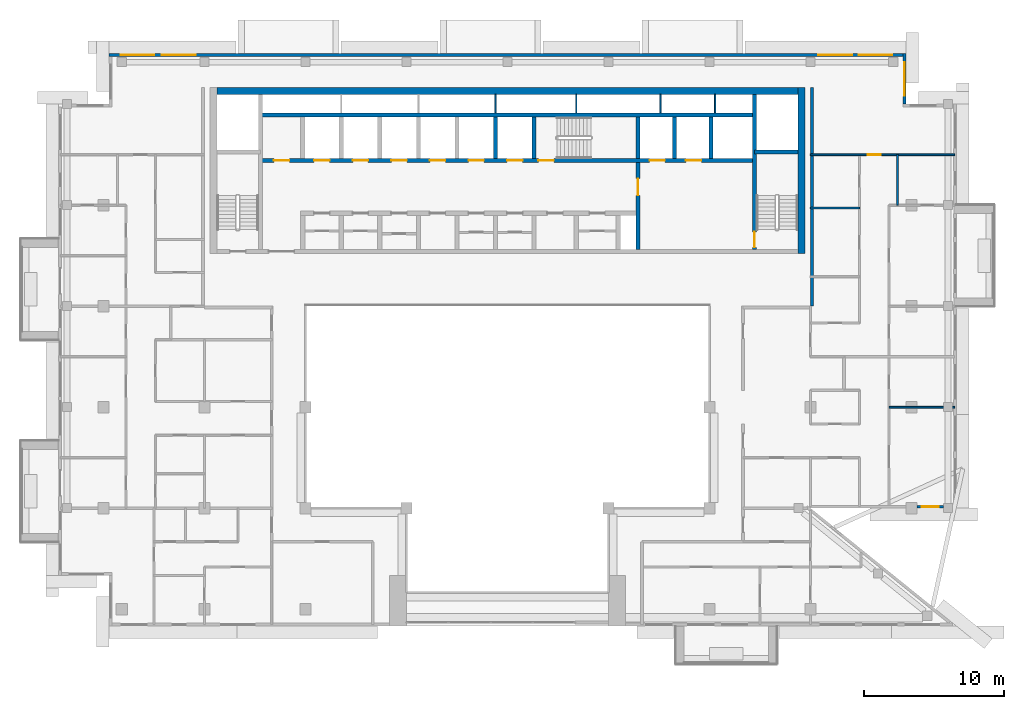
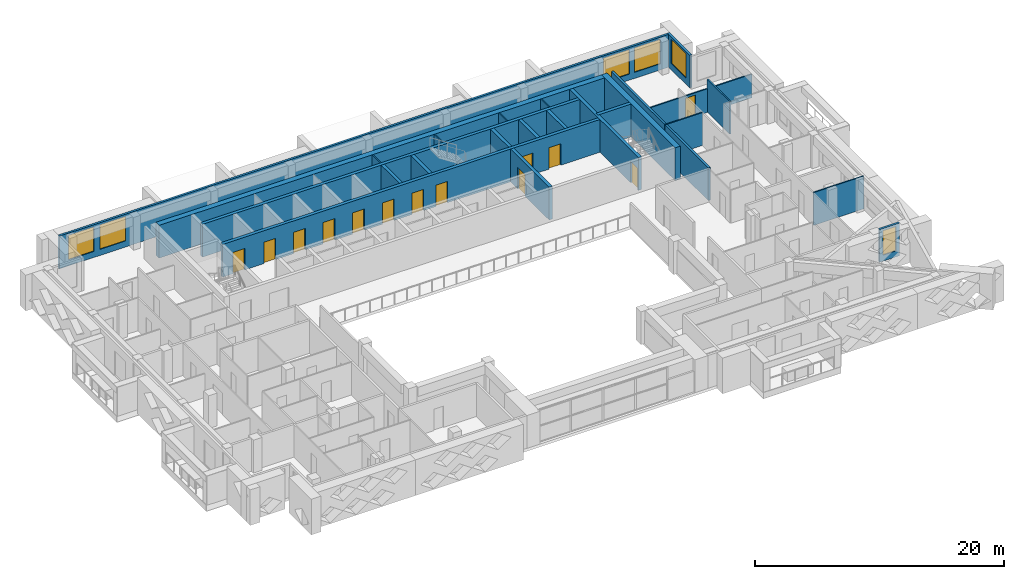
# One storey, part 11 of 19: 24 walls, 13 doors, 6 windows, 19 openings.
"""IFC4 building model written with IfcOpenShell, lengths in metres."""

from ifc_helpers import new_model, si_unit, direction, frame, frame_2d, origin, place, context, subcontext, project, spatial, rectangle, extrude, material, layer, layer_set, type_object, element, fill, save


model = new_model("IFC4")

# Units and contexts
model_context = context("Model", 3, precision=1e-05, world=origin(), true_north=direction((0.0, 1.0)))
body_context = subcontext(model_context, "Body", "Model", "MODEL_VIEW")
ifc_project = project(units=[si_unit("LENGTHUNIT", "METRE"), si_unit("AREAUNIT", "SQUARE_METRE"), si_unit("VOLUMEUNIT", "CUBIC_METRE"), si_unit("PLANEANGLEUNIT", "RADIAN"), si_unit("MASSUNIT", "GRAM", prefix="KILO")], contexts=[model_context])

# Site, building, storey
site_placement = place(None, origin())
site = spatial("IfcSite", under=ifc_project, at=site_placement, CompositionType="ELEMENT")
building_placement = place(site_placement, origin())
building = spatial("IfcBuilding", under=site, at=building_placement, Name="Saffron Iwan Residences", CompositionType="ELEMENT")
storey_placement = place(building_placement, frame((0.0, 0.0, 250.0)))
storey = spatial("IfcBuildingStorey", under=building, at=storey_placement, Name="L67", CompositionType="ELEMENT", Elevation=250.0)

# Wall, opening, window
ifc_material_1 = material(Name="Concrete C40/50", Category="concrete")
ifc_layer_1 = layer(ifc_material_1, 0.199951171875)
ifc_layer_set_1 = layer_set([ifc_layer_1], Name="Concrete C40/50")
wall_type_1 = type_object("IfcWallType", Name="EXTERNAL WALL 200", PredefinedType="SOLIDWALL", material=ifc_layer_set_1)
wall_1_placement = place(storey_placement, frame((79.60009765625, 48.10009765625, 0.0), z_axis=(0.0, 0.0, 1.0), x_axis=(1.0, 0.0, 0.0)))
wall_1 = element("IfcWall", 1, at=wall_1_placement, inside=storey, type_object=wall_type_1, Name="External wall L67 F1.1", PredefinedType="SOLIDWALL", context=body_context, shape_type="SweptSolid", body=[
    extrude(rectangle(XDim=1.875, YDim=0.199951171875, at=frame_2d((0.9375, 0.0))), origin(), (0.0, 0.0, 1.0), 3.219970703125),
])
opening_1_placement = place(wall_1_placement, frame((0.33740234375, 0.0, 0.60009765625)))
opening_1 = element("IfcOpeningElement", 2, at=opening_1_placement, cuts=wall_1, Name="Opening W3", PredefinedType="OPENING", context=body_context, shape_type="SweptSolid", body=[
    extrude(rectangle(XDim=1.199951171875, YDim=2.39990234375, at=frame_2d((0.60009765625, 1.199951171875))), frame((0.0, 0.10986328125, 0.0), z_axis=(0.0, -1.0, 0.0), x_axis=(1.0, 0.0, 0.0)), (0.0, 0.0, 1.0), 0.219970703125),
])
ifc_material_2 = material(Name="Clear glass, laminated double glazed", Category="glass")
window_type_1 = type_object("IfcWindowType", Name="WINDOW 1200 x 2400", PartitioningType="SINGLE_PANEL", PredefinedType="WINDOW", material=ifc_material_2)
window_1_placement = place(opening_1_placement, origin())
window_1 = element("IfcWindow", 3, at=window_1_placement, inside=storey, type_object=window_type_1, Name="Window L67 F1.0", OverallHeight=2.39990234375, OverallWidth=1.199951171875, PartitioningType="SINGLE_PANEL", PredefinedType="WINDOW", context=body_context, shape_type="SweptSolid", body=[
    extrude(rectangle(XDim=1.199951171875, YDim=2.39990234375, at=frame_2d((0.60009765625, 1.199951171875))), frame((0.0, 0.030029296875, 0.0), z_axis=(0.0, -1.0, 0.0), x_axis=(1.0, 0.0, 0.0)), (0.0, 0.0, 1.0), 0.06005859375),
])
fill(opening_1, window_1)

wall_2_placement = place(storey_placement, frame((78.699951171875, 76.800048828125, 0.0), z_axis=(0.0, 0.0, 1.0), x_axis=(0.0, 1.0, 0.0)))
wall_2 = element("IfcWall", 4, at=wall_2_placement, inside=storey, type_object=wall_type_1, Name="External wall L67 F4.0", PredefinedType="SOLIDWALL", context=body_context, shape_type="SweptSolid", body=[
    extrude(rectangle(XDim=3.599853515625, YDim=0.199951171875, at=frame_2d((1.7998046875, 0.0))), origin(), (0.0, 0.0, 1.0), 3.219970703125),
])
opening_2_placement = place(wall_2_placement, frame((0.60009765625, 0.0, 0.60009765625)))
opening_2 = element("IfcOpeningElement", 5, at=opening_2_placement, cuts=wall_2, Name="Opening W1", PredefinedType="OPENING", context=body_context, shape_type="SweptSolid", body=[
    extrude(rectangle(XDim=2.39990234375, YDim=2.39990234375, at=frame_2d((1.199951171875, 1.199951171875))), frame((0.0, 0.10986328125, 0.0), z_axis=(0.0, -1.0, 0.0), x_axis=(1.0, 0.0, 0.0)), (0.0, 0.0, 1.0), 0.219970703125),
])
window_type_2 = type_object("IfcWindowType", Name="WINDOW 2400 x 2400", PartitioningType="DOUBLE_PANEL_VERTICAL", PredefinedType="WINDOW", material=ifc_material_2)
window_2_placement = place(opening_2_placement, origin())
window_2 = element("IfcWindow", 6, at=window_2_placement, inside=storey, type_object=window_type_2, Name="Window L67 F4.0", OverallHeight=2.39990234375, OverallWidth=2.39990234375, PartitioningType="DOUBLE_PANEL_VERTICAL", PredefinedType="WINDOW", context=body_context, shape_type="SweptSolid", body=[
    extrude(rectangle(XDim=2.39990234375, YDim=2.39990234375, at=frame_2d((1.199951171875, 1.199951171875))), frame((0.0, 0.030029296875, 0.0), z_axis=(0.0, -1.0, 0.0), x_axis=(1.0, 0.0, 0.0)), (0.0, 0.0, 1.0), 0.06005859375),
])
fill(opening_2, window_2)

# Wall, openings, windows
wall_3_placement = place(storey_placement, frame((78.60009765625, 80.300048828125, 0.0), z_axis=(0.0, 0.0, 1.0), x_axis=(-1.0, 0.0, 0.0)))
wall_3 = element("IfcWall", 7, at=wall_3_placement, inside=storey, type_object=wall_type_1, Name="External wall L67 F5.0", PredefinedType="SOLIDWALL", context=body_context, shape_type="SweptSolid", body=[
    extrude(rectangle(XDim=56.60009765625, YDim=0.199951171875, at=frame_2d((28.300048828125, 0.0))), origin(), (0.0, 0.0, 1.0), 3.219970703125),
])
opening_3_placement = place(wall_3_placement, frame((50.433349609375, 0.0, 0.60009765625)))
opening_3 = element("IfcOpeningElement", 8, at=opening_3_placement, cuts=wall_3, Name="Opening W1", PredefinedType="OPENING", context=body_context, shape_type="SweptSolid", body=[
    extrude(rectangle(XDim=2.39990234375, YDim=2.39990234375, at=frame_2d((1.199951171875, 1.199951171875))), frame((0.0, 0.10986328125, 0.0), z_axis=(0.0, -1.0, 0.0), x_axis=(1.0, 0.0, 0.0)), (0.0, 0.0, 1.0), 0.219970703125),
])
opening_4_placement = place(wall_3_placement, frame((53.36669921875, 0.0, 0.60009765625)))
opening_4 = element("IfcOpeningElement", 9, at=opening_4_placement, cuts=wall_3, Name="Opening W1", PredefinedType="OPENING", context=body_context, shape_type="SweptSolid", body=[
    extrude(rectangle(XDim=2.39990234375, YDim=2.39990234375, at=frame_2d((1.199951171875, 1.199951171875))), frame((0.0, 0.10986328125, 0.0), z_axis=(0.0, -1.0, 0.0), x_axis=(1.0, 0.0, 0.0)), (0.0, 0.0, 1.0), 0.219970703125),
])
opening_5_placement = place(wall_3_placement, frame((0.7666015625, 0.0, 0.60009765625)))
opening_5 = element("IfcOpeningElement", 10, at=opening_5_placement, cuts=wall_3, Name="Opening W1", PredefinedType="OPENING", context=body_context, shape_type="SweptSolid", body=[
    extrude(rectangle(XDim=2.39990234375, YDim=2.39990234375, at=frame_2d((1.199951171875, 1.199951171875))), frame((0.0, 0.10986328125, 0.0), z_axis=(0.0, -1.0, 0.0), x_axis=(1.0, 0.0, 0.0)), (0.0, 0.0, 1.0), 0.219970703125),
])
opening_6_placement = place(wall_3_placement, frame((3.63330078125, 0.0, 0.60009765625)))
opening_6 = element("IfcOpeningElement", 11, at=opening_6_placement, cuts=wall_3, Name="Opening W1", PredefinedType="OPENING", context=body_context, shape_type="SweptSolid", body=[
    extrude(rectangle(XDim=2.39990234375, YDim=2.39990234375, at=frame_2d((1.199951171875, 1.199951171875))), frame((0.0, 0.10986328125, 0.0), z_axis=(0.0, -1.0, 0.0), x_axis=(1.0, 0.0, 0.0)), (0.0, 0.0, 1.0), 0.219970703125),
])
window_3_placement = place(opening_3_placement, origin())
window_3 = element("IfcWindow", 12, at=window_3_placement, inside=storey, type_object=window_type_2, Name="Window L67 F5.0", OverallHeight=2.39990234375, OverallWidth=2.39990234375, PartitioningType="DOUBLE_PANEL_VERTICAL", PredefinedType="WINDOW", context=body_context, shape_type="SweptSolid", body=[
    extrude(rectangle(XDim=2.39990234375, YDim=2.39990234375, at=frame_2d((1.199951171875, 1.199951171875))), frame((0.0, 0.030029296875, 0.0), z_axis=(0.0, -1.0, 0.0), x_axis=(1.0, 0.0, 0.0)), (0.0, 0.0, 1.0), 0.06005859375),
])
fill(opening_3, window_3)
window_4_placement = place(opening_4_placement, origin())
window_4 = element("IfcWindow", 13, at=window_4_placement, inside=storey, type_object=window_type_2, Name="Window L67 F5.1", OverallHeight=2.39990234375, OverallWidth=2.39990234375, PartitioningType="DOUBLE_PANEL_VERTICAL", PredefinedType="WINDOW", context=body_context, shape_type="SweptSolid", body=[
    extrude(rectangle(XDim=2.39990234375, YDim=2.39990234375, at=frame_2d((1.199951171875, 1.199951171875))), frame((0.0, 0.030029296875, 0.0), z_axis=(0.0, -1.0, 0.0), x_axis=(1.0, 0.0, 0.0)), (0.0, 0.0, 1.0), 0.06005859375),
])
fill(opening_4, window_4)
window_5_placement = place(opening_5_placement, origin())
window_5 = element("IfcWindow", 14, at=window_5_placement, inside=storey, type_object=window_type_2, Name="Window L67 F5.2", OverallHeight=2.39990234375, OverallWidth=2.39990234375, PartitioningType="DOUBLE_PANEL_VERTICAL", PredefinedType="WINDOW", context=body_context, shape_type="SweptSolid", body=[
    extrude(rectangle(XDim=2.39990234375, YDim=2.39990234375, at=frame_2d((1.199951171875, 1.199951171875))), frame((0.0, 0.030029296875, 0.0), z_axis=(0.0, -1.0, 0.0), x_axis=(1.0, 0.0, 0.0)), (0.0, 0.0, 1.0), 0.06005859375),
])
fill(opening_5, window_5)
window_6_placement = place(opening_6_placement, origin())
window_6 = element("IfcWindow", 15, at=window_6_placement, inside=storey, type_object=window_type_2, Name="Window L67 F5.3", OverallHeight=2.39990234375, OverallWidth=2.39990234375, PartitioningType="DOUBLE_PANEL_VERTICAL", PredefinedType="WINDOW", context=body_context, shape_type="SweptSolid", body=[
    extrude(rectangle(XDim=2.39990234375, YDim=2.39990234375, at=frame_2d((1.199951171875, 1.199951171875))), frame((0.0, 0.030029296875, 0.0), z_axis=(0.0, -1.0, 0.0), x_axis=(1.0, 0.0, 0.0)), (0.0, 0.0, 1.0), 0.06005859375),
])
fill(opening_6, window_6)

# Walls
ifc_material_3 = material(Name="Gypsum board partition")
ifc_layer_2 = layer(ifc_material_3, 0.1201171875)
ifc_layer_set_2 = layer_set([ifc_layer_2], Name="Gypsum board partition")
wall_type_2 = type_object("IfcWallType", Name="Flat partition 120", PredefinedType="PARTITIONING", material=ifc_layer_set_2)
wall_4_placement = place(storey_placement, frame((77.60009765625, 55.199951171875, 0.0), z_axis=(0.0, 0.0, 1.0), x_axis=(1.0, 0.0, 0.0)))
element("IfcWall", 16, at=wall_4_placement, inside=storey, type_object=wall_type_2, Name="W-L67-PART-h55.2-77.6", PredefinedType="PARTITIONING", context=body_context, shape_type="SweptSolid", body=[
    extrude(rectangle(XDim=4.6748046875, YDim=0.1201171875, at=frame_2d((2.33740234375, 0.0))), origin(), (0.0, 0.0, 1.0), 3.219970703125),
])
wall_5_placement = place(storey_placement, frame((72.0, 69.39990234375, 0.0), z_axis=(0.0, 0.0, 1.0), x_axis=(1.0, 0.0, 0.0)))
element("IfcWall", 17, at=wall_5_placement, inside=storey, type_object=wall_type_2, Name="W-L67-PART-h69.4-72", PredefinedType="PARTITIONING", context=body_context, shape_type="SweptSolid", body=[
    extrude(rectangle(XDim=3.5, YDim=0.1201171875, at=frame_2d((1.75, 0.0))), origin(), (0.0, 0.0, 1.0), 3.219970703125),
])

# Wall, opening, door
wall_6_placement = place(storey_placement, frame((72.0, 73.199951171875, 0.0), z_axis=(0.0, 0.0, 1.0), x_axis=(1.0, 0.0, 0.0)))
wall_6 = element("IfcWall", 18, at=wall_6_placement, inside=storey, type_object=wall_type_2, Name="W-L67-PART-h73.2-72", PredefinedType="PARTITIONING", context=body_context, shape_type="SweptSolid", body=[
    extrude(rectangle(XDim=10.27490234375, YDim=0.1201171875, at=frame_2d((5.137451171875, 0.0))), origin(), (0.0, 0.0, 1.0), 2.320068359375),
])
opening_7_placement = place(wall_6_placement, frame((4.10009765625, 0.0, 0.0)))
opening_7 = element("IfcOpeningElement", 19, at=opening_7_placement, cuts=wall_6, Name="Opening FD2", PredefinedType="OPENING", context=body_context, shape_type="SweptSolid", body=[
    extrude(rectangle(XDim=0.89990234375, YDim=2.10009765625, at=frame_2d((0.449951171875, 1.050048828125))), frame((0.0, 0.070068359375, 0.0), z_axis=(0.0, -1.0, 0.0), x_axis=(1.0, 0.0, 0.0)), (0.0, 0.0, 1.0), 0.14013671875),
])
ifc_material_4 = material(Name="Timber door", Category="wood")
door_type_1 = type_object("IfcDoorType", Name="Flat door 900", OperationType="NOTDEFINED", PredefinedType="DOOR", material=ifc_material_4)
door_1_placement = place(opening_7_placement, origin())
door_1 = element("IfcDoor", 20, at=door_1_placement, inside=storey, type_object=door_type_1, Name="Door L67-036", OperationType="SINGLE_SWING_RIGHT", OverallHeight=2.10009765625, OverallWidth=0.89990234375, PredefinedType="DOOR", context=body_context, shape_type="SweptSolid", body=[
    extrude(rectangle(XDim=0.89990234375, YDim=2.10009765625, at=frame_2d((0.449951171875, 1.050048828125))), frame((0.0, 0.02490234375, 0.0), z_axis=(0.0, -1.0, 0.0), x_axis=(1.0, 0.0, 0.0)), (0.0, 0.0, 1.0), 0.050048828125),
])
fill(opening_7, door_1)

# Walls
wall_7_placement = place(storey_placement, frame((78.199951171875, 69.60009765625, 0.0), z_axis=(0.0, 0.0, 1.0), x_axis=(0.0, 1.0, 0.0)))
element("IfcWall", 21, at=wall_7_placement, inside=storey, type_object=wall_type_2, Name="W-L67-PART-v78.2-69.6", PredefinedType="PARTITIONING", context=body_context, shape_type="SweptSolid", body=[
    extrude(rectangle(XDim=3.599853515625, YDim=0.1201171875, at=frame_2d((1.7998046875, 0.0))), origin(), (0.0, 0.0, 1.0), 3.219970703125),
])
ifc_material_5 = material(Name="Fire-rated gypsum board wall")
ifc_layer_3 = layer(ifc_material_5, 0.199951171875)
ifc_layer_set_3 = layer_set([ifc_layer_3], Name="Fire-rated gypsum board wall")
wall_type_3 = type_object("IfcWallType", Name="Gallery wall 200", PredefinedType="SOLIDWALL", material=ifc_layer_set_3)
wall_8_placement = place(storey_placement, frame((72.10009765625, 62.39990234375, 0.0), z_axis=(0.0, 0.0, 1.0), x_axis=(0.0, 1.0, 0.0)))
element("IfcWall", 22, at=wall_8_placement, inside=storey, type_object=wall_type_3, Name="W-L67-CORR-v72-62.4", PredefinedType="SOLIDWALL", context=body_context, shape_type="SweptSolid", body=[
    extrude(rectangle(XDim=15.60009765625, YDim=0.199951171875, at=frame_2d((7.800048828125, 0.0))), origin(), (0.0, 0.0, 1.0), 3.219970703125),
])
ifc_material_6 = material(Name="Fire-rated plasterboard partition")
ifc_layer_4 = layer(ifc_material_6, 0.10009765625)
ifc_layer_set_4 = layer_set([ifc_layer_4], Name="Fire-rated plasterboard partition")
wall_type_4 = type_object("IfcWallType", Name="Riser partition 100", PredefinedType="PARTITIONING", material=ifc_layer_set_4)
for number, where, z_axis, x_axis, name in (
    (23, (49.550048828125, 76.175048828125, 0.0), (0.0, 0.0, 1.0), (0.0, 1.0, 0.0), "Core partition P09"),
    (24, (55.300048828125, 76.175048828125, 0.0), (0.0, 0.0, 1.0), (0.0, 1.0, 0.0), "Core partition P10"),
    (25, (61.300048828125, 76.175048828125, 0.0), (0.0, 0.0, 1.0), (0.0, 1.0, 0.0), "Core partition P11"),
    (26, (65.199951171875, 76.175048828125, 0.0), (0.0, 0.0, 1.0), (0.0, 1.0, 0.0), "Core partition P12"),
):
    element("IfcWall", number, at=place(storey_placement, frame(where, z_axis=z_axis, x_axis=x_axis)), inside=storey, type_object=wall_type_4, Name=name, PredefinedType="PARTITIONING", context=body_context, shape_type="SweptSolid", body=[
        extrude(rectangle(XDim=1.324951171875, YDim=0.10009765625, at=frame_2d((0.66259765625, 0.0))), origin(), (0.0, 0.0, 1.0), 3.219970703125),
    ])

# Wall, openings, doors
ifc_layer_5 = layer(ifc_material_1, 0.300048828125)
ifc_layer_set_5 = layer_set([ifc_layer_5], Name="Concrete C40/50")
wall_type_5 = type_object("IfcWallType", Name="WALL CORE 300 C40/50 3220 HIGH", PredefinedType="SHEAR", material=ifc_layer_set_5)
wall_9_placement = place(storey_placement, frame((32.800048828125, 72.77490234375, 0.0), z_axis=(0.0, 0.0, 1.0), x_axis=(1.0, 0.0, 0.0)))
wall_9 = element("IfcWall", 27, at=wall_9_placement, inside=storey, type_object=wall_type_5, Name="Core wall", PredefinedType="SHEAR", context=body_context, shape_type="SweptSolid", body=[
    extrude(rectangle(XDim=35.199951171875, YDim=0.300048828125, at=frame_2d((17.60009765625, 0.0))), origin(), (0.0, 0.0, 1.0), 3.219970703125),
])
opening_8_placement = place(wall_9_placement, frame((19.800048828125, 0.0, 0.0)))
opening_8 = element("IfcOpeningElement", 28, at=opening_8_placement, cuts=wall_9, Name="Opening SD", PredefinedType="OPENING", context=body_context, shape_type="SweptSolid", body=[
    extrude(rectangle(XDim=1.10009765625, YDim=2.10009765625, at=frame_2d((0.550048828125, 1.050048828125))), frame((0.0, 0.16015625, 0.0), z_axis=(0.0, -1.0, 0.0), x_axis=(1.0, 0.0, 0.0)), (0.0, 0.0, 1.0), 0.320068359375),
])
opening_9_placement = place(wall_9_placement, frame((27.72509765625, 0.0, 0.0)))
opening_9 = element("IfcOpeningElement", 29, at=opening_9_placement, cuts=wall_9, Name="Opening LD", PredefinedType="OPENING", context=body_context, shape_type="SweptSolid", body=[
    extrude(rectangle(XDim=1.10009765625, YDim=2.10009765625, at=frame_2d((0.550048828125, 1.050048828125))), frame((0.0, 0.16015625, 0.0), z_axis=(0.0, -1.0, 0.0), x_axis=(1.0, 0.0, 0.0)), (0.0, 0.0, 1.0), 0.320068359375),
])
opening_10_placement = place(wall_9_placement, frame((30.324951171875, 0.0, 0.0)))
opening_10 = element("IfcOpeningElement", 30, at=opening_10_placement, cuts=wall_9, Name="Opening LD", PredefinedType="OPENING", context=body_context, shape_type="SweptSolid", body=[
    extrude(rectangle(XDim=1.10009765625, YDim=2.10009765625, at=frame_2d((0.550048828125, 1.050048828125))), frame((0.0, 0.16015625, 0.0), z_axis=(0.0, -1.0, 0.0), x_axis=(1.0, 0.0, 0.0)), (0.0, 0.0, 1.0), 0.320068359375),
])
opening_11_placement = place(wall_9_placement, frame((3.824951171875, 0.0, 0.0)))
opening_11 = element("IfcOpeningElement", 31, at=opening_11_placement, cuts=wall_9, Name="Opening LD", PredefinedType="OPENING", context=body_context, shape_type="SweptSolid", body=[
    extrude(rectangle(XDim=1.10009765625, YDim=2.10009765625, at=frame_2d((0.550048828125, 1.050048828125))), frame((0.0, 0.16015625, 0.0), z_axis=(0.0, -1.0, 0.0), x_axis=(1.0, 0.0, 0.0)), (0.0, 0.0, 1.0), 0.320068359375),
])
opening_12_placement = place(wall_9_placement, frame((6.574951171875, 0.0, 0.0)))
opening_12 = element("IfcOpeningElement", 32, at=opening_12_placement, cuts=wall_9, Name="Opening LD", PredefinedType="OPENING", context=body_context, shape_type="SweptSolid", body=[
    extrude(rectangle(XDim=1.10009765625, YDim=2.10009765625, at=frame_2d((0.550048828125, 1.050048828125))), frame((0.0, 0.16015625, 0.0), z_axis=(0.0, -1.0, 0.0), x_axis=(1.0, 0.0, 0.0)), (0.0, 0.0, 1.0), 0.320068359375),
])
opening_13_placement = place(wall_9_placement, frame((9.324951171875, 0.0, 0.0)))
opening_13 = element("IfcOpeningElement", 33, at=opening_13_placement, cuts=wall_9, Name="Opening LD", PredefinedType="OPENING", context=body_context, shape_type="SweptSolid", body=[
    extrude(rectangle(XDim=1.10009765625, YDim=2.10009765625, at=frame_2d((0.550048828125, 1.050048828125))), frame((0.0, 0.16015625, 0.0), z_axis=(0.0, -1.0, 0.0), x_axis=(1.0, 0.0, 0.0)), (0.0, 0.0, 1.0), 0.320068359375),
])
opening_14_placement = place(wall_9_placement, frame((12.074951171875, 0.0, 0.0)))
opening_14 = element("IfcOpeningElement", 34, at=opening_14_placement, cuts=wall_9, Name="Opening LD", PredefinedType="OPENING", context=body_context, shape_type="SweptSolid", body=[
    extrude(rectangle(XDim=1.10009765625, YDim=2.10009765625, at=frame_2d((0.550048828125, 1.050048828125))), frame((0.0, 0.16015625, 0.0), z_axis=(0.0, -1.0, 0.0), x_axis=(1.0, 0.0, 0.0)), (0.0, 0.0, 1.0), 0.320068359375),
])
opening_15_placement = place(wall_9_placement, frame((14.824951171875, 0.0, 0.0)))
opening_15 = element("IfcOpeningElement", 35, at=opening_15_placement, cuts=wall_9, Name="Opening LD", PredefinedType="OPENING", context=body_context, shape_type="SweptSolid", body=[
    extrude(rectangle(XDim=1.10009765625, YDim=2.10009765625, at=frame_2d((0.550048828125, 1.050048828125))), frame((0.0, 0.16015625, 0.0), z_axis=(0.0, -1.0, 0.0), x_axis=(1.0, 0.0, 0.0)), (0.0, 0.0, 1.0), 0.320068359375),
])
opening_16_placement = place(wall_9_placement, frame((17.574951171875, 0.0, 0.0)))
opening_16 = element("IfcOpeningElement", 36, at=opening_16_placement, cuts=wall_9, Name="Opening LD", PredefinedType="OPENING", context=body_context, shape_type="SweptSolid", body=[
    extrude(rectangle(XDim=1.10009765625, YDim=2.10009765625, at=frame_2d((0.550048828125, 1.050048828125))), frame((0.0, 0.16015625, 0.0), z_axis=(0.0, -1.0, 0.0), x_axis=(1.0, 0.0, 0.0)), (0.0, 0.0, 1.0), 0.320068359375),
])
opening_17_placement = place(wall_9_placement, frame((0.949951171875, 0.0, 0.0)))
opening_17 = element("IfcOpeningElement", 37, at=opening_17_placement, cuts=wall_9, Name="Opening SR", PredefinedType="OPENING", context=body_context, shape_type="SweptSolid", body=[
    extrude(rectangle(XDim=1.10009765625, YDim=2.10009765625, at=frame_2d((0.550048828125, 1.050048828125))), frame((0.0, 0.16015625, 0.0), z_axis=(0.0, -1.0, 0.0), x_axis=(1.0, 0.0, 0.0)), (0.0, 0.0, 1.0), 0.320068359375),
])
ifc_material_7 = material(Name="Steel fire door", Category="steel")
door_type_2 = type_object("IfcDoorType", Name="Lift landing door 1100", OperationType="SLIDING_TO_LEFT", PredefinedType="DOOR", material=ifc_material_7)
door_2_placement = place(opening_9_placement, origin())
door_2 = element("IfcDoor", 38, at=door_2_placement, inside=storey, type_object=door_type_2, Name="Landing doors FF1", OperationType="SLIDING_TO_LEFT", OverallHeight=2.10009765625, OverallWidth=1.10009765625, PredefinedType="DOOR", context=body_context, shape_type="SweptSolid", body=[
    extrude(rectangle(XDim=1.10009765625, YDim=2.10009765625, at=frame_2d((0.550048828125, 1.050048828125))), frame((0.0, 0.02490234375, 0.0), z_axis=(0.0, -1.0, 0.0), x_axis=(1.0, 0.0, 0.0)), (0.0, 0.0, 1.0), 0.050048828125),
])
fill(opening_9, door_2)
door_3_placement = place(opening_10_placement, origin())
door_3 = element("IfcDoor", 39, at=door_3_placement, inside=storey, type_object=door_type_2, Name="Landing doors FF2", OperationType="SLIDING_TO_LEFT", OverallHeight=2.10009765625, OverallWidth=1.10009765625, PredefinedType="DOOR", context=body_context, shape_type="SweptSolid", body=[
    extrude(rectangle(XDim=1.10009765625, YDim=2.10009765625, at=frame_2d((0.550048828125, 1.050048828125))), frame((0.0, 0.02490234375, 0.0), z_axis=(0.0, -1.0, 0.0), x_axis=(1.0, 0.0, 0.0)), (0.0, 0.0, 1.0), 0.050048828125),
])
fill(opening_10, door_3)
door_4_placement = place(opening_11_placement, origin())
door_4 = element("IfcDoor", 40, at=door_4_placement, inside=storey, type_object=door_type_2, Name="Landing doors HR1", OperationType="SLIDING_TO_LEFT", OverallHeight=2.10009765625, OverallWidth=1.10009765625, PredefinedType="DOOR", context=body_context, shape_type="SweptSolid", body=[
    extrude(rectangle(XDim=1.10009765625, YDim=2.10009765625, at=frame_2d((0.550048828125, 1.050048828125))), frame((0.0, 0.02490234375, 0.0), z_axis=(0.0, -1.0, 0.0), x_axis=(1.0, 0.0, 0.0)), (0.0, 0.0, 1.0), 0.050048828125),
])
fill(opening_11, door_4)
door_5_placement = place(opening_12_placement, origin())
door_5 = element("IfcDoor", 41, at=door_5_placement, inside=storey, type_object=door_type_2, Name="Landing doors HR2", OperationType="SLIDING_TO_LEFT", OverallHeight=2.10009765625, OverallWidth=1.10009765625, PredefinedType="DOOR", context=body_context, shape_type="SweptSolid", body=[
    extrude(rectangle(XDim=1.10009765625, YDim=2.10009765625, at=frame_2d((0.550048828125, 1.050048828125))), frame((0.0, 0.02490234375, 0.0), z_axis=(0.0, -1.0, 0.0), x_axis=(1.0, 0.0, 0.0)), (0.0, 0.0, 1.0), 0.050048828125),
])
fill(opening_12, door_5)
door_6_placement = place(opening_13_placement, origin())
door_6 = element("IfcDoor", 42, at=door_6_placement, inside=storey, type_object=door_type_2, Name="Landing doors HR3", OperationType="SLIDING_TO_LEFT", OverallHeight=2.10009765625, OverallWidth=1.10009765625, PredefinedType="DOOR", context=body_context, shape_type="SweptSolid", body=[
    extrude(rectangle(XDim=1.10009765625, YDim=2.10009765625, at=frame_2d((0.550048828125, 1.050048828125))), frame((0.0, 0.02490234375, 0.0), z_axis=(0.0, -1.0, 0.0), x_axis=(1.0, 0.0, 0.0)), (0.0, 0.0, 1.0), 0.050048828125),
])
fill(opening_13, door_6)
door_7_placement = place(opening_14_placement, origin())
door_7 = element("IfcDoor", 43, at=door_7_placement, inside=storey, type_object=door_type_2, Name="Landing doors HR4", OperationType="SLIDING_TO_LEFT", OverallHeight=2.10009765625, OverallWidth=1.10009765625, PredefinedType="DOOR", context=body_context, shape_type="SweptSolid", body=[
    extrude(rectangle(XDim=1.10009765625, YDim=2.10009765625, at=frame_2d((0.550048828125, 1.050048828125))), frame((0.0, 0.02490234375, 0.0), z_axis=(0.0, -1.0, 0.0), x_axis=(1.0, 0.0, 0.0)), (0.0, 0.0, 1.0), 0.050048828125),
])
fill(opening_14, door_7)
door_8_placement = place(opening_15_placement, origin())
door_8 = element("IfcDoor", 44, at=door_8_placement, inside=storey, type_object=door_type_2, Name="Landing doors HR5", OperationType="SLIDING_TO_LEFT", OverallHeight=2.10009765625, OverallWidth=1.10009765625, PredefinedType="DOOR", context=body_context, shape_type="SweptSolid", body=[
    extrude(rectangle(XDim=1.10009765625, YDim=2.10009765625, at=frame_2d((0.550048828125, 1.050048828125))), frame((0.0, 0.02490234375, 0.0), z_axis=(0.0, -1.0, 0.0), x_axis=(1.0, 0.0, 0.0)), (0.0, 0.0, 1.0), 0.050048828125),
])
fill(opening_15, door_8)
door_9_placement = place(opening_16_placement, origin())
door_9 = element("IfcDoor", 45, at=door_9_placement, inside=storey, type_object=door_type_2, Name="Landing doors HR6", OperationType="SLIDING_TO_LEFT", OverallHeight=2.10009765625, OverallWidth=1.10009765625, PredefinedType="DOOR", context=body_context, shape_type="SweptSolid", body=[
    extrude(rectangle(XDim=1.10009765625, YDim=2.10009765625, at=frame_2d((0.550048828125, 1.050048828125))), frame((0.0, 0.02490234375, 0.0), z_axis=(0.0, -1.0, 0.0), x_axis=(1.0, 0.0, 0.0)), (0.0, 0.0, 1.0), 0.050048828125),
])
fill(opening_16, door_9)
door_type_3 = type_object("IfcDoorType", Name="Service door 1100", OperationType="NOTDEFINED", PredefinedType="DOOR", material=ifc_material_7)
door_10_placement = place(opening_17_placement, origin())
door_10 = element("IfcDoor", 46, at=door_10_placement, inside=storey, type_object=door_type_3, Name="Door Service room", OperationType="SINGLE_SWING_LEFT", OverallHeight=2.10009765625, OverallWidth=1.10009765625, PredefinedType="DOOR", context=body_context, shape_type="SweptSolid", body=[
    extrude(rectangle(XDim=1.10009765625, YDim=2.10009765625, at=frame_2d((0.550048828125, 1.050048828125))), frame((0.0, 0.02490234375, 0.0), z_axis=(0.0, -1.0, 0.0), x_axis=(1.0, 0.0, 0.0)), (0.0, 0.0, 1.0), 0.050048828125),
])
fill(opening_17, door_10)
door_type_4 = type_object("IfcDoorType", Name="Stair door 1100", OperationType="NOTDEFINED", PredefinedType="DOOR", material=ifc_material_7)
door_11_placement = place(opening_8_placement, origin())
door_11 = element("IfcDoor", 47, at=door_11_placement, inside=storey, type_object=door_type_4, Name="Stair door ST-C", OperationType="SINGLE_SWING_LEFT", OverallHeight=2.10009765625, OverallWidth=1.10009765625, PredefinedType="DOOR", context=body_context, shape_type="SweptSolid", body=[
    extrude(rectangle(XDim=1.10009765625, YDim=2.10009765625, at=frame_2d((0.550048828125, 1.050048828125))), frame((0.0, 0.02490234375, 0.0), z_axis=(0.0, -1.0, 0.0), x_axis=(1.0, 0.0, 0.0)), (0.0, 0.0, 1.0), 0.050048828125),
])
fill(opening_8, door_11)

# Walls
wall_10_placement = place(storey_placement, frame((32.800048828125, 76.02490234375, 0.0), z_axis=(0.0, 0.0, 1.0), x_axis=(1.0, 0.0, 0.0)))
element("IfcWall", 48, at=wall_10_placement, inside=storey, type_object=wall_type_5, Name="Core wall", PredefinedType="SHEAR", context=body_context, shape_type="SweptSolid", body=[
    extrude(rectangle(XDim=35.199951171875, YDim=0.300048828125, at=frame_2d((17.60009765625, 0.0))), origin(), (0.0, 0.0, 1.0), 3.219970703125),
])
wall_11_placement = place(storey_placement, frame((68.0, 73.39990234375, 0.0), z_axis=(0.0, 0.0, 1.0), x_axis=(1.0, 0.0, 0.0)))
element("IfcWall", 49, at=wall_11_placement, inside=storey, type_object=wall_type_5, Name="Core wall", PredefinedType="SHEAR", context=body_context, shape_type="SweptSolid", body=[
    extrude(rectangle(XDim=3.10009765625, YDim=0.300048828125, at=frame_2d((1.550048828125, 0.0))), origin(), (0.0, 0.0, 1.0), 3.219970703125),
])

# Wall, opening, door
wall_12_placement = place(storey_placement, frame((68.0, 66.449951171875, 0.0), z_axis=(0.0, 0.0, 1.0), x_axis=(0.0, 1.0, 0.0)))
wall_12 = element("IfcWall", 50, at=wall_12_placement, inside=storey, type_object=wall_type_5, Name="Core wall", PredefinedType="SHEAR", context=body_context, shape_type="SweptSolid", body=[
    extrude(rectangle(XDim=11.050048828125, YDim=0.300048828125, at=frame_2d((5.52490234375, 0.0))), origin(), (0.0, 0.0, 1.0), 3.219970703125),
])
opening_18_placement = place(wall_12_placement, frame((0.14990234375, 0.0, 0.0)))
opening_18 = element("IfcOpeningElement", 51, at=opening_18_placement, cuts=wall_12, Name="Opening SD", PredefinedType="OPENING", context=body_context, shape_type="SweptSolid", body=[
    extrude(rectangle(XDim=1.10009765625, YDim=2.10009765625, at=frame_2d((0.550048828125, 1.050048828125))), frame((0.0, 0.16015625, 0.0), z_axis=(0.0, -1.0, 0.0), x_axis=(1.0, 0.0, 0.0)), (0.0, 0.0, 1.0), 0.320068359375),
])
door_12_placement = place(opening_18_placement, origin())
door_12 = element("IfcDoor", 52, at=door_12_placement, inside=storey, type_object=door_type_4, Name="Stair door ST-E", OperationType="SINGLE_SWING_RIGHT", OverallHeight=2.10009765625, OverallWidth=1.10009765625, PredefinedType="DOOR", context=body_context, shape_type="SweptSolid", body=[
    extrude(rectangle(XDim=1.10009765625, YDim=2.10009765625, at=frame_2d((0.550048828125, 1.050048828125))), frame((0.0, 0.02490234375, 0.0), z_axis=(0.0, -1.0, 0.0), x_axis=(1.0, 0.0, 0.0)), (0.0, 0.0, 1.0), 0.050048828125),
])
fill(opening_18, door_12)

wall_13_placement = place(storey_placement, frame((59.699951171875, 66.449951171875, 0.0), z_axis=(0.0, 0.0, 1.0), x_axis=(0.0, 1.0, 0.0)))
wall_13 = element("IfcWall", 53, at=wall_13_placement, inside=storey, type_object=wall_type_5, Name="Core wall", PredefinedType="SHEAR", context=body_context, shape_type="SweptSolid", body=[
    extrude(rectangle(XDim=6.175048828125, YDim=0.300048828125, at=frame_2d((3.08740234375, 0.0))), origin(), (0.0, 0.0, 1.0), 3.219970703125),
])
opening_19_placement = place(wall_13_placement, frame((3.85009765625, 0.0, 0.0)))
opening_19 = element("IfcOpeningElement", 54, at=opening_19_placement, cuts=wall_13, Name="Opening FD", PredefinedType="OPENING", context=body_context, shape_type="SweptSolid", body=[
    extrude(rectangle(XDim=1.199951171875, YDim=2.10009765625, at=frame_2d((0.60009765625, 1.050048828125))), frame((0.0, 0.16015625, 0.0), z_axis=(0.0, -1.0, 0.0), x_axis=(1.0, 0.0, 0.0)), (0.0, 0.0, 1.0), 0.320068359375),
])
door_type_5 = type_object("IfcDoorType", Name="Firefighting lobby door 1200", OperationType="NOTDEFINED", PredefinedType="DOOR", material=ifc_material_7)
door_13_placement = place(opening_19_placement, origin())
door_13 = element("IfcDoor", 55, at=door_13_placement, inside=storey, type_object=door_type_5, Name="Firefighting lobby door", OperationType="SINGLE_SWING_LEFT", OverallHeight=2.10009765625, OverallWidth=1.199951171875, PredefinedType="DOOR", context=body_context, shape_type="SweptSolid", body=[
    extrude(rectangle(XDim=1.199951171875, YDim=2.10009765625, at=frame_2d((0.60009765625, 1.050048828125))), frame((0.0, 0.02490234375, 0.0), z_axis=(0.0, -1.0, 0.0), x_axis=(1.0, 0.0, 0.0)), (0.0, 0.0, 1.0), 0.050048828125),
])
fill(opening_19, door_13)

# Walls
for number, where, z_axis, x_axis, name in (
    (56, (59.699951171875, 72.925048828125, 0.0), (0.0, 0.0, 1.0), (0.0, 1.0, 0.0), "Core wall"),
    (57, (49.550048828125, 72.925048828125, 0.0), (0.0, 0.0, 1.0), (0.0, 1.0, 0.0), "Core wall"),
    (58, (52.300048828125, 72.925048828125, 0.0), (0.0, 0.0, 1.0), (0.0, 1.0, 0.0), "Core wall"),
    (59, (62.300048828125, 72.925048828125, 0.0), (0.0, 0.0, 1.0), (0.0, 1.0, 0.0), "Core wall"),
    (60, (64.89990234375, 72.925048828125, 0.0), (0.0, 0.0, 1.0), (0.0, 1.0, 0.0), "Core wall"),
):
    element("IfcWall", number, at=place(storey_placement, frame(where, z_axis=z_axis, x_axis=x_axis)), inside=storey, type_object=wall_type_5, Name=name, PredefinedType="SHEAR", context=body_context, shape_type="SweptSolid", body=[
        extrude(rectangle(XDim=2.949951171875, YDim=0.300048828125, at=frame_2d((1.47509765625, 0.0))), origin(), (0.0, 0.0, 1.0), 3.219970703125),
    ])
ifc_layer_6 = layer(ifc_material_1, 0.5)
ifc_layer_set_6 = layer_set([ifc_layer_6], Name="Concrete C40/50")
wall_type_6 = type_object("IfcWallType", Name="WALL CORE 500 C40/50 3220 HIGH", PredefinedType="SHEAR", material=ifc_layer_set_6)
wall_14_placement = place(storey_placement, frame((71.35009765625, 66.14990234375, 0.0), z_axis=(0.0, 0.0, 1.0), x_axis=(0.0, 1.0, 0.0)))
element("IfcWall", 61, at=wall_14_placement, inside=storey, type_object=wall_type_6, Name="Core wall", PredefinedType="SHEAR", context=body_context, shape_type="SweptSolid", body=[
    extrude(rectangle(XDim=11.85009765625, YDim=0.5, at=frame_2d((5.925048828125, 0.0))), origin(), (0.0, 0.0, 1.0), 3.219970703125),
])
wall_15_placement = place(storey_placement, frame((29.699951171875, 77.75, 0.0), z_axis=(0.0, 0.0, 1.0), x_axis=(1.0, 0.0, 0.0)))
element("IfcWall", 62, at=wall_15_placement, inside=storey, type_object=wall_type_6, Name="Core wall", PredefinedType="SHEAR", context=body_context, shape_type="SweptSolid", body=[
    extrude(rectangle(XDim=41.400146484375, YDim=0.5, at=frame_2d((20.7001953125, 0.0))), origin(), (0.0, 0.0, 1.0), 3.219970703125),
])

save(model, "model.ifc")
